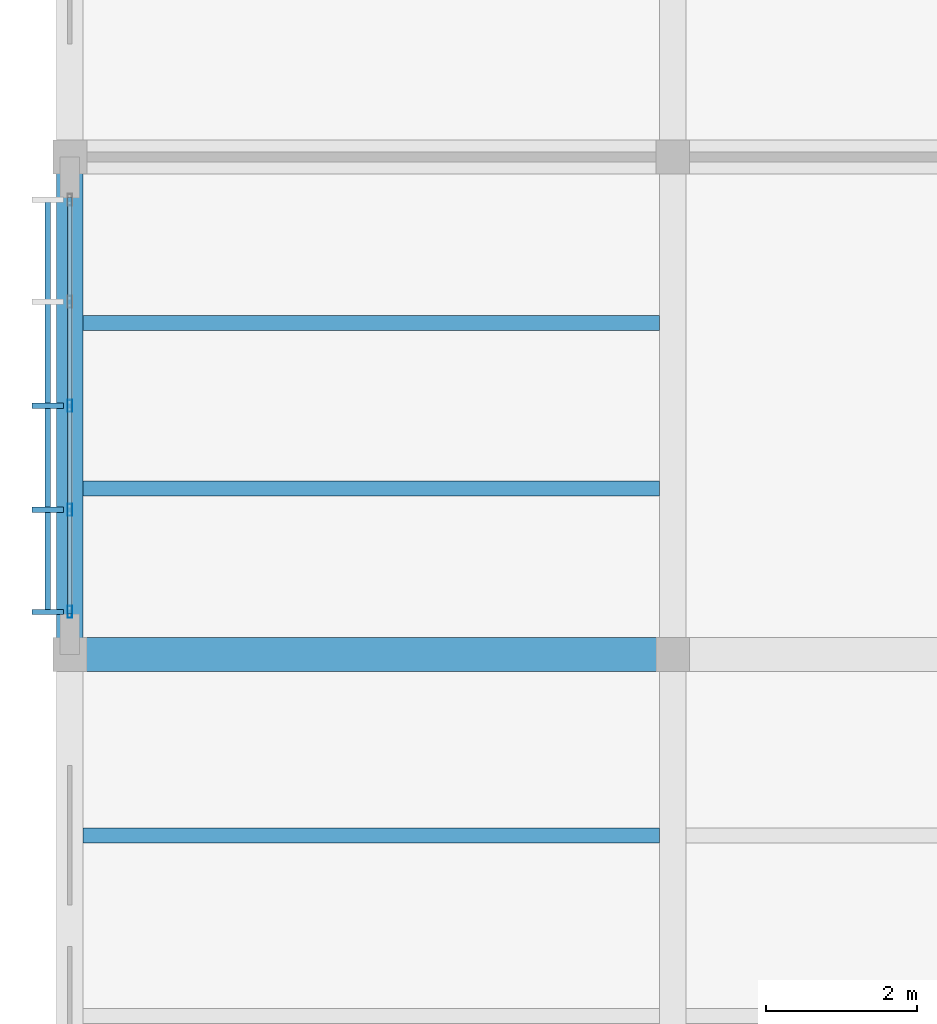
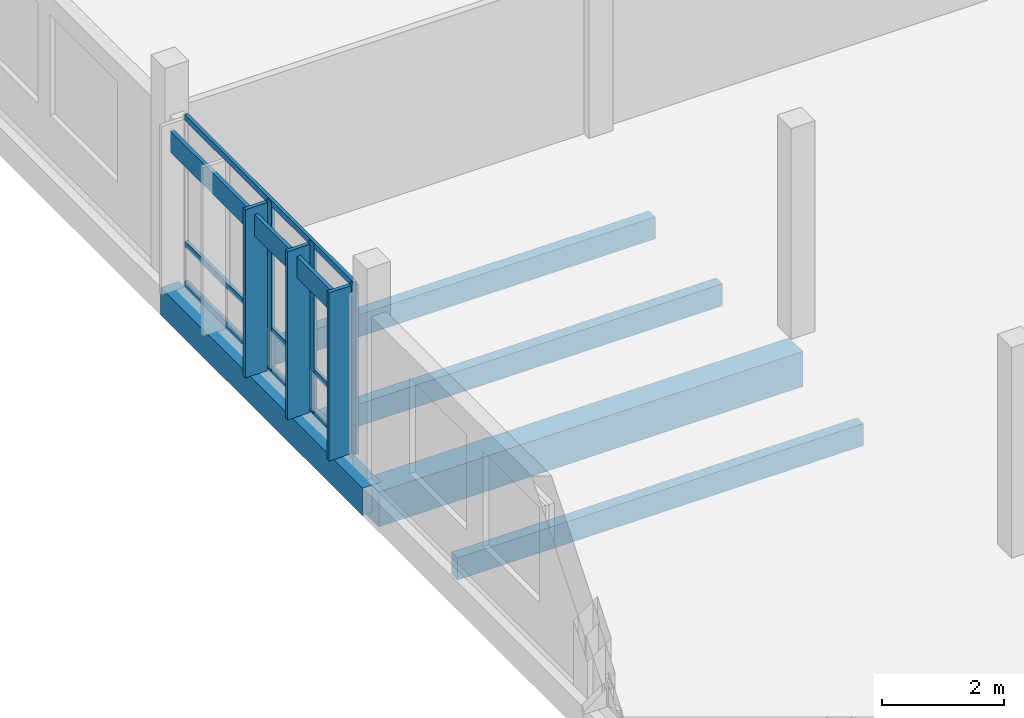
# One storey, part 39 of 182: 10 members, 5 beams, 1 element without a shape of its own.
"""IFC4 building model written with IfcOpenShell, lengths in metres."""

from ifc_helpers import new_model, si_unit, direction, frame, origin, origin_2d, place, context, subcontext, project, spatial, rectangle, hollow_rectangle, extrude, material, material_profile, profile_set, type_object, element, aggregate, save


model = new_model("IFC4")

# Units and contexts
model_context = context("Model", 3, precision=1e-05, world=origin(), true_north=direction((0.0, 1.0)))
body_context = subcontext(model_context, "Body", "Model", "MODEL_VIEW")
ifc_project = project(units=[si_unit("LENGTHUNIT", "METRE"), si_unit("AREAUNIT", "SQUARE_METRE"), si_unit("VOLUMEUNIT", "CUBIC_METRE"), si_unit("PLANEANGLEUNIT", "RADIAN"), si_unit("MASSUNIT", "GRAM", prefix="KILO")], contexts=[model_context])

# Site, building, storey
site_placement = place(None, origin())
site = spatial("IfcSite", under=ifc_project, at=site_placement, CompositionType="ELEMENT")
building_placement = place(site_placement, origin())
building = spatial("IfcBuilding", under=site, at=building_placement, Name="Chiffa Square Polytechnic", CompositionType="ELEMENT")
storey_placement = place(building_placement, frame((0.0, 0.0, 9.60009765625)))
storey = spatial("IfcBuildingStorey", under=building, at=storey_placement, Name="L02", CompositionType="ELEMENT", Elevation=9.60009765625)

# Beams
ifc_material_1 = material(Name="Concrete C35/45", Category="concrete")
ifc_material_profile_1 = material_profile(ifc_material_1, rectangle(XDim=0.35009765625, YDim=0.550048828125, at=origin_2d()), Name="RC 350x550")
ifc_profile_set_1 = profile_set([ifc_material_profile_1], Name="Concrete C35/45")
beam_type_1 = type_object("IfcBeamType", Name="BM-RC-350X550", PredefinedType="BEAM", material=ifc_profile_set_1)
beam_1_placement = place(storey_placement, frame((0.0, 51.0, -0.59521484375), z_axis=(0.0, 1.0, 0.0), x_axis=(-1.0, 0.0, 0.0)))
element("IfcBeam", 1, at=beam_1_placement, inside=storey, type_object=beam_type_1, Name="Primary floor girder BM-V6-L02-Y-0000-0510", PredefinedType="BEAM", context=body_context, shape_type="SweptSolid", body=[
    extrude(rectangle(XDim=0.35009765625, YDim=0.550048828125, at=origin_2d()), origin(), (0.0, 0.0, 1.0), 6.60009765625),
])
ifc_material_profile_2 = material_profile(ifc_material_1, rectangle(XDim=0.449951171875, YDim=0.699951171875, at=origin_2d()), Name="RC 450x700")
ifc_profile_set_2 = profile_set([ifc_material_profile_2], Name="Concrete C35/45")
beam_type_2 = type_object("IfcBeamType", Name="BM-RC-450X700", PredefinedType="BEAM", material=ifc_profile_set_2)
beam_2_placement = place(storey_placement, frame((0.0, 51.0, -0.670166015625), z_axis=(1.0, 0.0, 0.0), x_axis=(0.0, 1.0, 0.0)))
element("IfcBeam", 2, at=beam_2_placement, inside=storey, type_object=beam_type_2, Name="Primary floor girder BM-V6-L02-X-0000-0510", PredefinedType="BEAM", context=body_context, shape_type="SweptSolid", body=[
    extrude(rectangle(XDim=0.449951171875, YDim=0.699951171875, at=origin_2d()), origin(), (0.0, 0.0, 1.0), 8.0),
])

# Curtain wall, members
ifc_material_2 = material(Name="Aluminium EN AW-6060 T66 and glulam shading", Category="wood")
curtain_wall_type = type_object("IfcCurtainWallType", Name="CW-VERT-600X380", PredefinedType="USERDEFINED", material=ifc_material_2)
curtain_wall_placement = place(storey_placement, origin())
curtain_wall = element("IfcCurtainWall", 3, at=curtain_wall_placement, inside=storey, type_object=curtain_wall_type, Name="Curtain wall CW-V6-L02-268", ObjectType="CURTAIN WALL", PredefinedType="USERDEFINED")
ifc_material_3 = material(Name="Aluminium EN AW-6060 T66", Category="aluminium")
ifc_material_profile_3 = material_profile(ifc_material_3, hollow_rectangle(XDim=0.06005859375, YDim=0.159912109375, WallThickness=0.00390625, at=origin_2d()), Name="ALU 60x160x4")
ifc_profile_set_3 = profile_set([ifc_material_profile_3], Name="Aluminium EN AW-6060 T66")
member_type_1 = type_object("IfcMemberType", Name="CWM-ALU-65X150", PredefinedType="MULLION", material=ifc_profile_set_3)
member_1_placement = place(storey_placement, frame((0.0, 54.300048828125, 0.0), z_axis=(0.0, 0.0, 1.0), x_axis=(1.0, 0.0, 0.0)))
member_1 = element("IfcMember", 4, at=member_1_placement, type_object=member_type_1, Name="Curtain wall mullion CW-V6-L02-268-M02", PredefinedType="MULLION", context=body_context, shape_type="SweptSolid", body=[
    extrude(hollow_rectangle(XDim=0.06005859375, YDim=0.159912109375, WallThickness=0.00390625, at=origin_2d()), origin(), (0.0, 0.0, 1.0), 3.375),
])
member_2_placement = place(storey_placement, frame((0.0, 52.919921875, 0.0), z_axis=(0.0, 0.0, 1.0), x_axis=(1.0, 0.0, 0.0)))
member_2 = element("IfcMember", 5, at=member_2_placement, type_object=member_type_1, Name="Curtain wall mullion CW-V6-L02-268-M03", PredefinedType="MULLION", context=body_context, shape_type="SweptSolid", body=[
    extrude(hollow_rectangle(XDim=0.06005859375, YDim=0.159912109375, WallThickness=0.00390625, at=origin_2d()), origin(), (0.0, 0.0, 1.0), 3.375),
])
member_3_placement = place(storey_placement, frame((0.0, 51.56494140625, 0.0), z_axis=(0.0, 0.0, 1.0), x_axis=(1.0, 0.0, 0.0)))
member_3 = element("IfcMember", 6, at=member_3_placement, type_object=member_type_1, Name="Curtain wall mullion CW-V6-L02-268-M04", PredefinedType="MULLION", context=body_context, shape_type="SweptSolid", body=[
    extrude(hollow_rectangle(XDim=0.06005859375, YDim=0.159912109375, WallThickness=0.00390625, at=origin_2d()), origin(), (0.0, 0.0, 1.0), 3.375),
])
ifc_material_4 = material(Name="Glulam GL28h", Category="wood")
ifc_material_profile_4 = material_profile(ifc_material_4, rectangle(XDim=0.070068359375, YDim=0.419921875, at=origin_2d()), Name="GL28h 70x420")
ifc_profile_set_4 = profile_set([ifc_material_profile_4], Name="Glulam GL28h")
member_type_2 = type_object("IfcMemberType", Name="CWM-GL-70X420", PredefinedType="MULLION", material=ifc_profile_set_4)
member_4_placement = place(storey_placement, frame((-0.2919921875, 54.300048828125, 0.010009765625), z_axis=(0.0, 0.0, 1.0), x_axis=(0.0, -1.0, 0.0)))
member_4 = element("IfcMember", 7, at=member_4_placement, type_object=member_type_2, Name="Exterior glulam solar fin CW-V6-L02-268-FN02", PredefinedType="MULLION", context=body_context, shape_type="SweptSolid", body=[
    extrude(rectangle(XDim=0.070068359375, YDim=0.419921875, at=origin_2d()), origin(), (0.0, 0.0, 1.0), 3.35498046875),
])
member_5_placement = place(storey_placement, frame((-0.2919921875, 52.919921875, 0.010009765625), z_axis=(0.0, 0.0, 1.0), x_axis=(0.0, -1.0, 0.0)))
member_5 = element("IfcMember", 8, at=member_5_placement, type_object=member_type_2, Name="Exterior glulam solar fin CW-V6-L02-268-FN03", PredefinedType="MULLION", context=body_context, shape_type="SweptSolid", body=[
    extrude(rectangle(XDim=0.070068359375, YDim=0.419921875, at=origin_2d()), origin(), (0.0, 0.0, 1.0), 3.35498046875),
])
member_6_placement = place(storey_placement, frame((-0.2919921875, 51.56494140625, 0.010009765625), z_axis=(0.0, 0.0, 1.0), x_axis=(0.0, -1.0, 0.0)))
member_6 = element("IfcMember", 9, at=member_6_placement, type_object=member_type_2, Name="Exterior glulam solar fin CW-V6-L02-268-FN04", PredefinedType="MULLION", context=body_context, shape_type="SweptSolid", body=[
    extrude(rectangle(XDim=0.070068359375, YDim=0.419921875, at=origin_2d()), origin(), (0.0, 0.0, 1.0), 3.35498046875),
])
ifc_material_profile_5 = material_profile(ifc_material_3, hollow_rectangle(XDim=0.06005859375, YDim=0.1201171875, WallThickness=0.00390625, at=origin_2d()), Name="ALU 60x120x4")
ifc_profile_set_5 = profile_set([ifc_material_profile_5], Name="Aluminium EN AW-6060 T66")
member_type_3 = type_object("IfcMemberType", Name="CWT-ALU-65X120", PredefinedType="USERDEFINED", material=ifc_profile_set_5)
member_7_placement = place(storey_placement, frame((0.0, 57.06201171875, 0.02978515625), z_axis=(0.0, -1.0, 0.0), x_axis=(1.0, 0.0, 0.0)))
member_7 = element("IfcMember", 10, at=member_7_placement, type_object=member_type_3, Name="Curtain wall transom CW-V6-L02-268-T01", ObjectType="TRANSOM", PredefinedType="USERDEFINED", context=body_context, shape_type="SweptSolid", body=[
    extrude(hollow_rectangle(XDim=0.06005859375, YDim=0.1201171875, WallThickness=0.00390625, at=origin_2d()), origin(), (0.0, 0.0, 1.0), 5.52392578125),
])
member_8_placement = place(storey_placement, frame((0.0, 57.06201171875, 0.81982421875), z_axis=(0.0, -1.0, 0.0), x_axis=(1.0, 0.0, 0.0)))
member_8 = element("IfcMember", 11, at=member_8_placement, type_object=member_type_3, Name="Curtain wall transom CW-V6-L02-268-T02", ObjectType="TRANSOM", PredefinedType="USERDEFINED", context=body_context, shape_type="SweptSolid", body=[
    extrude(hollow_rectangle(XDim=0.06005859375, YDim=0.1201171875, WallThickness=0.00390625, at=origin_2d()), origin(), (0.0, 0.0, 1.0), 5.52392578125),
])
member_9_placement = place(storey_placement, frame((0.0, 57.06201171875, 3.344970703125), z_axis=(0.0, -1.0, 0.0), x_axis=(1.0, 0.0, 0.0)))
member_9 = element("IfcMember", 12, at=member_9_placement, type_object=member_type_3, Name="Curtain wall transom CW-V6-L02-268-T03", ObjectType="TRANSOM", PredefinedType="USERDEFINED", context=body_context, shape_type="SweptSolid", body=[
    extrude(hollow_rectangle(XDim=0.06005859375, YDim=0.1201171875, WallThickness=0.00390625, at=origin_2d()), origin(), (0.0, 0.0, 1.0), 5.52392578125),
])
ifc_material_profile_6 = material_profile(ifc_material_4, rectangle(XDim=0.070068359375, YDim=0.419921875, at=origin_2d()), Name="GL28h 70x420")
ifc_profile_set_6 = profile_set([ifc_material_profile_6], Name="Glulam GL28h")
member_type_4 = type_object("IfcMemberType", Name="CWT-GL-70X420", PredefinedType="USERDEFINED", material=ifc_profile_set_6)
member_10_placement = place(storey_placement, frame((-0.2919921875, 57.034912109375, 2.994873046875), z_axis=(0.0, -1.0, 0.0), x_axis=(1.0, 0.0, 0.0)))
member_10 = element("IfcMember", 13, at=member_10_placement, type_object=member_type_4, Name="Exterior glulam brise-soleil CW-V6-L02-268-BS01", ObjectType="TRANSOM", PredefinedType="USERDEFINED", context=body_context, shape_type="SweptSolid", body=[
    extrude(rectangle(XDim=0.070068359375, YDim=0.419921875, at=origin_2d()), origin(), (0.0, 0.0, 1.0), 5.469970703125),
])
aggregate(curtain_wall, [member_1, member_4, member_2, member_5, member_3, member_6, member_7, member_8, member_9, member_10])

# Beams
ifc_material_profile_7 = material_profile(ifc_material_4, rectangle(XDim=0.199951171875, YDim=0.43994140625, at=origin_2d()), Name="GL28h 200x440")
ifc_profile_set_7 = profile_set([ifc_material_profile_7], Name="Glulam GL28h")
beam_type_3 = type_object("IfcBeamType", Name="JST-GL-200X440", PredefinedType="JOIST", material=ifc_profile_set_7)
for number, where, z_axis, x_axis, name in (
    (14, (0.173095703125, 48.60009765625, -0.5400390625), (1.0, 0.0, 0.0), (0.0, 1.0, 0.0), "Secondary floor joist JST-V6-L02-0000-0486"),
    (15, (0.173095703125, 53.199951171875, -0.5400390625), (1.0, 0.0, 0.0), (0.0, 1.0, 0.0), "Secondary floor joist JST-V6-L02-0000-0532"),
    (16, (0.173095703125, 55.39990234375, -0.5400390625), (1.0, 0.0, 0.0), (0.0, 1.0, 0.0), "Secondary floor joist JST-V6-L02-0000-0554"),
):
    element("IfcBeam", number, at=place(storey_placement, frame(where, z_axis=z_axis, x_axis=x_axis)), inside=storey, type_object=beam_type_3, Name=name, PredefinedType="JOIST", context=body_context, shape_type="SweptSolid", body=[
        extrude(rectangle(XDim=0.199951171875, YDim=0.43994140625, at=origin_2d()), origin(), (0.0, 0.0, 1.0), 7.65380859375),
    ])

save(model, "model.ifc")
